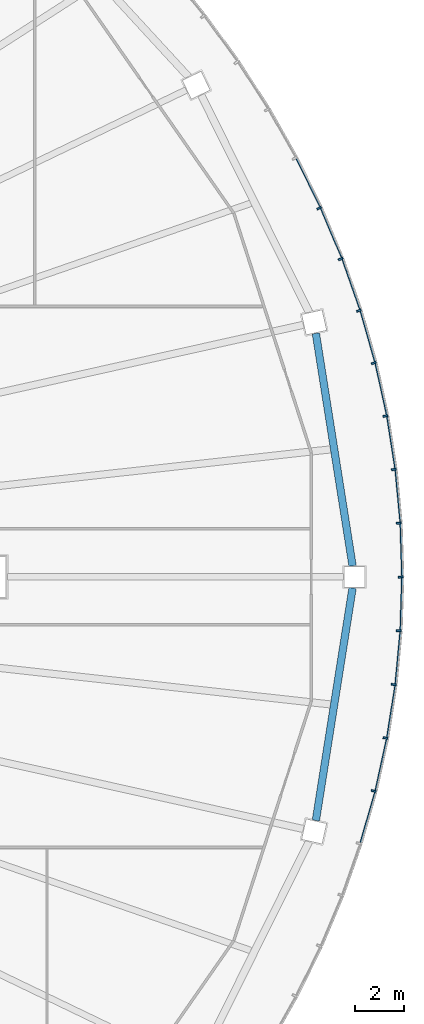
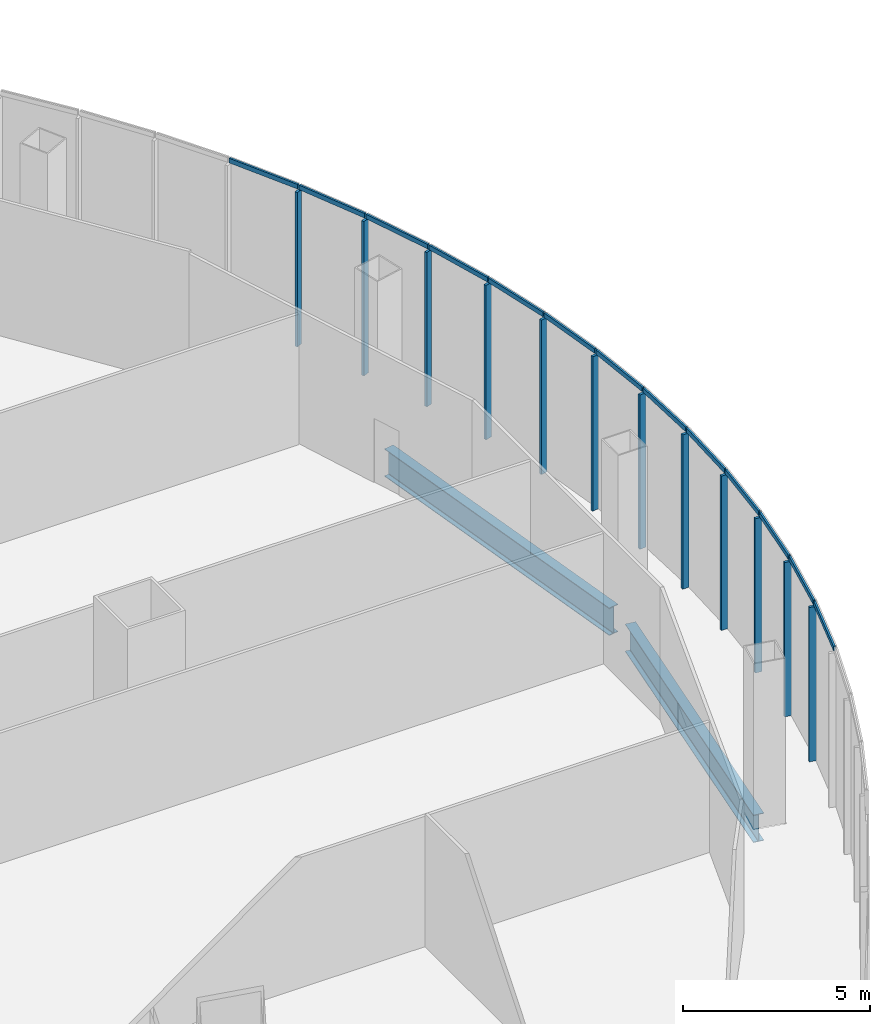
# One storey, part 12 of 42: 25 members, 2 beams, 3 elements without a shape of their own.
"""IFC4 building model written with IfcOpenShell, lengths in metres."""

from ifc_helpers import new_model, si_unit, direction, frame, origin, origin_2d, place, context, subcontext, project, spatial, rectangle, i_section, extrude, material, layer, layer_set, material_profile, profile_set, type_object, element, aggregate, save


model = new_model("IFC4")

# Units and contexts
model_context = context("Model", 3, precision=1e-05, world=origin(), true_north=direction((0.0, 1.0)))
body_context = subcontext(model_context, "Body", "Model", "MODEL_VIEW")
ifc_project = project(units=[si_unit("LENGTHUNIT", "METRE"), si_unit("AREAUNIT", "SQUARE_METRE"), si_unit("VOLUMEUNIT", "CUBIC_METRE"), si_unit("PLANEANGLEUNIT", "RADIAN"), si_unit("MASSUNIT", "GRAM", prefix="KILO")], contexts=[model_context])

# Site, building, storey
site_placement = place(None, origin())
site = spatial("IfcSite", under=ifc_project, at=site_placement, CompositionType="ELEMENT")
building_placement = place(site_placement, origin())
building = spatial("IfcBuilding", under=site, at=building_placement, Name="Sahrelin Media Tower", CompositionType="ELEMENT")
storey_placement = place(building_placement, frame((0.0, 0.0, 26.0)))
storey = spatial("IfcBuildingStorey", under=building, at=storey_placement, Name="L03", CompositionType="ELEMENT", Elevation=26.0)

# Curtain wall, members
ifc_material_1 = material(Name="Champagne anodised aluminium 6063-T6", Category="aluminium")
ifc_layer = layer(ifc_material_1, 0.14990234375)
ifc_layer_set = layer_set([ifc_layer], Name="Podium ribbon curtain wall")
curtain_wall_type = type_object("IfcCurtainWallType", Name="Podium ribbon curtain wall", PredefinedType="NOTDEFINED", material=ifc_layer_set)
curtain_wall_1_placement = place(storey_placement, frame((50.0, 0.0, 0.0), z_axis=(0.0, 0.0, 1.0), x_axis=(1.0, 0.0, 0.0)))
curtain_wall_1 = element("IfcCurtainWall", 1, at=curtain_wall_1_placement, inside=storey, type_object=curtain_wall_type, Name="L03:CW:L03-P00", PredefinedType="NOTDEFINED")
ifc_material_profile_1 = material_profile(ifc_material_1, rectangle(XDim=0.080078125, YDim=0.199951171875, at=origin_2d()), Name="Mullion 80x200")
ifc_profile_set_1 = profile_set([ifc_material_profile_1], Name="Champagne anodised aluminium 6063-T6")
member_type_1 = type_object("IfcMemberType", Name="Mullion 80x200 CW5", PredefinedType="MULLION", material=ifc_profile_set_1)
member_1_placement = place(storey_placement, frame((49.880126953125, -0.003662109375, 0.0), z_axis=(0.0, 0.0, 1.0), x_axis=(-0.031147343317, 0.999514803794, 0.0)))
member_1 = element("IfcMember", 2, at=member_1_placement, type_object=member_type_1, Name="L03:CWM1:L03-P00", PredefinedType="MULLION", context=body_context, shape_type="SweptSolid", body=[
    extrude(rectangle(XDim=0.080078125, YDim=0.199951171875, at=origin_2d()), origin(), (0.0, 0.0, 1.0), 5.050048828125),
])
member_2_placement = place(storey_placement, frame((49.81201171875, 2.18701171875, 0.0), z_axis=(0.0, 0.0, 1.0), x_axis=(-0.09329161754, 0.995638827134, 0.0)))
member_2 = element("IfcMember", 3, at=member_2_placement, type_object=member_type_1, Name="L03:CWM2:L03-P00", PredefinedType="MULLION", context=body_context, shape_type="SweptSolid", body=[
    extrude(rectangle(XDim=0.080078125, YDim=0.199951171875, at=origin_2d()), origin(), (0.0, 0.0, 1.0), 5.050048828125),
])
member_3_placement = place(storey_placement, frame((49.607421875, 4.37158203125, 0.0), z_axis=(0.0, 0.0, 1.0), x_axis=(-0.154851778565, 0.987937713965, 0.0)))
member_3 = element("IfcMember", 4, at=member_3_placement, type_object=member_type_1, Name="L03:CWM3:L03-P00", PredefinedType="MULLION", context=body_context, shape_type="SweptSolid", body=[
    extrude(rectangle(XDim=0.080078125, YDim=0.199951171875, at=origin_2d()), origin(), (0.0, 0.0, 1.0), 5.050048828125),
])
member_4_placement = place(storey_placement, frame((49.26708984375, 6.544189453125, 0.0), z_axis=(0.0, 0.0, 1.0), x_axis=(-0.215437572845, 0.976517614898, 0.0)))
member_4 = element("IfcMember", 5, at=member_4_placement, type_object=member_type_1, Name="L03:CWM4:L03-P00", PredefinedType="MULLION", context=body_context, shape_type="SweptSolid", body=[
    extrude(rectangle(XDim=0.080078125, YDim=0.199951171875, at=origin_2d()), origin(), (0.0, 0.0, 1.0), 5.050048828125),
])
member_5_placement = place(storey_placement, frame((48.7919921875, 8.69921875, 0.0), z_axis=(0.0, 0.0, 1.0), x_axis=(-0.274810138831, 0.961498511489, 0.0)))
member_5 = element("IfcMember", 6, at=member_5_placement, type_object=member_type_1, Name="L03:CWM5:L03-P00", PredefinedType="MULLION", context=body_context, shape_type="SweptSolid", body=[
    extrude(rectangle(XDim=0.080078125, YDim=0.199951171875, at=origin_2d()), origin(), (0.0, 0.0, 1.0), 5.050048828125),
])

curtain_wall_2_placement = place(storey_placement, frame((48.29638671875, 10.870361328125, 0.0), z_axis=(0.0, 0.0, 1.0), x_axis=(1.0, 0.0, 0.0)))
curtain_wall_2 = element("IfcCurtainWall", 7, at=curtain_wall_2_placement, inside=storey, type_object=curtain_wall_type, Name="L03:CW:L03-P01", PredefinedType="NOTDEFINED")
member_6_placement = place(storey_placement, frame((48.18310546875, 10.83056640625, 0.0), z_axis=(0.0, 0.0, 1.0), x_axis=(-0.332579242691, 0.943075313711, 0.0)))
member_6 = element("IfcMember", 8, at=member_6_placement, type_object=member_type_1, Name="L03:CWM1:L03-P01", PredefinedType="MULLION", context=body_context, shape_type="SweptSolid", body=[
    extrude(rectangle(XDim=0.080078125, YDim=0.199951171875, at=origin_2d()), origin(), (0.0, 0.0, 1.0), 5.050048828125),
])
member_7_placement = place(storey_placement, frame((47.442138671875, 12.93212890625, 0.0), z_axis=(0.0, 0.0, 1.0), x_axis=(-0.388450189752, 0.921469722824, 0.0)))
member_7 = element("IfcMember", 9, at=member_7_placement, type_object=member_type_1, Name="L03:CWM2:L03-P01", PredefinedType="MULLION", context=body_context, shape_type="SweptSolid", body=[
    extrude(rectangle(XDim=0.080078125, YDim=0.199951171875, at=origin_2d()), origin(), (0.0, 0.0, 1.0), 5.050048828125),
])
member_8_placement = place(storey_placement, frame((46.5712890625, 14.998291015625, 0.0), z_axis=(0.0, 0.0, 1.0), x_axis=(-0.442262079274, 0.896885864108, 0.0)))
member_8 = element("IfcMember", 10, at=member_8_placement, type_object=member_type_1, Name="L03:CWM3:L03-P01", PredefinedType="MULLION", context=body_context, shape_type="SweptSolid", body=[
    extrude(rectangle(XDim=0.080078125, YDim=0.199951171875, at=origin_2d()), origin(), (0.0, 0.0, 1.0), 5.050048828125),
])

curtain_wall_3_placement = place(storey_placement, frame((48.29638671875, -10.870361328125, 0.0), z_axis=(0.0, 0.0, 1.0), x_axis=(1.0, 0.0, 0.0)))
curtain_wall_3 = element("IfcCurtainWall", 11, at=curtain_wall_3_placement, inside=storey, type_object=curtain_wall_type, Name="L03:CW:L03-P23", PredefinedType="NOTDEFINED")
member_9_placement = place(storey_placement, frame((48.790283203125, -8.706298828125, 0.0), z_axis=(0.0, 0.0, 1.0), x_axis=(0.215437572845, 0.976517614898, 0.0)))
member_9 = element("IfcMember", 12, at=member_9_placement, type_object=member_type_1, Name="L03:CWM2:L03-P23", PredefinedType="MULLION", context=body_context, shape_type="SweptSolid", body=[
    extrude(rectangle(XDim=0.080078125, YDim=0.199951171875, at=origin_2d()), origin(), (0.0, 0.0, 1.0), 5.050048828125),
])
member_10_placement = place(storey_placement, frame((49.265869140625, -6.551513671875, 0.0), z_axis=(0.0, 0.0, 1.0), x_axis=(0.154851778565, 0.987937713965, 0.0)))
member_10 = element("IfcMember", 13, at=member_10_placement, type_object=member_type_1, Name="L03:CWM3:L03-P23", PredefinedType="MULLION", context=body_context, shape_type="SweptSolid", body=[
    extrude(rectangle(XDim=0.080078125, YDim=0.199951171875, at=origin_2d()), origin(), (0.0, 0.0, 1.0), 5.050048828125),
])
member_11_placement = place(storey_placement, frame((49.606689453125, -4.37890625, 0.0), z_axis=(0.0, 0.0, 1.0), x_axis=(0.09329161754, 0.995638827134, 0.0)))
member_11 = element("IfcMember", 14, at=member_11_placement, type_object=member_type_1, Name="L03:CWM4:L03-P23", PredefinedType="MULLION", context=body_context, shape_type="SweptSolid", body=[
    extrude(rectangle(XDim=0.080078125, YDim=0.199951171875, at=origin_2d()), origin(), (0.0, 0.0, 1.0), 5.050048828125),
])
member_12_placement = place(storey_placement, frame((49.8115234375, -2.1943359375, 0.0), z_axis=(0.0, 0.0, 1.0), x_axis=(0.031147343317, 0.999514803794, 0.0)))
member_12 = element("IfcMember", 15, at=member_12_placement, type_object=member_type_1, Name="L03:CWM5:L03-P23", PredefinedType="MULLION", context=body_context, shape_type="SweptSolid", body=[
    extrude(rectangle(XDim=0.080078125, YDim=0.199951171875, at=origin_2d()), origin(), (0.0, 0.0, 1.0), 5.050048828125),
])

# Beams
ifc_material_2 = material(Name="Steel S355", Category="steel")
ifc_material_profile_2 = material_profile(ifc_material_2, i_section(OverallWidth=0.30322265625, OverallDepth=0.903076171875, WebThickness=0.01513671875, FlangeThickness=0.020263671875, FilletRadius=0.01904296875, at=origin_2d()), Name="UB 914x305x201")
ifc_profile_set_2 = profile_set([ifc_material_profile_2], Name="Steel S355")
beam_type = type_object("IfcBeamType", Name="Podium edge girder PE11", PredefinedType="BEAM", material=ifc_profile_set_2)
for number, where, z_axis, x_axis, name in (
    (16, (47.928955078125, 0.449951171875, -0.651611328125), (-0.156048991104, 0.987749316565, 0.0), (-0.987749316565, -0.156048991104, 0.0), "Podium edge girder L03-01"),
    (17, (46.434814453125, -9.907470703125, -0.651611328125), (0.156048991104, 0.987749316565, 0.0), (-0.987749316565, 0.156048991104, 0.0), "Podium edge girder L03-24"),
):
    element("IfcBeam", number, at=place(storey_placement, frame(where, z_axis=z_axis, x_axis=x_axis)), inside=storey, type_object=beam_type, Name=name, PredefinedType="BEAM", context=body_context, shape_type="SweptSolid", body=[
        extrude(i_section(OverallWidth=0.30322265625, OverallDepth=0.903076171875, WebThickness=0.01513671875, FlangeThickness=0.020263671875, FilletRadius=0.01904296875, at=origin_2d()), origin(), (0.0, 0.0, 1.0), 9.57470703125),
    ])

# Member
ifc_material_profile_3 = material_profile(ifc_material_1, rectangle(XDim=0.06005859375, YDim=0.14990234375, at=origin_2d()), Name="Transom 60x150")
ifc_profile_set_3 = profile_set([ifc_material_profile_3], Name="Champagne anodised aluminium 6063-T6")
member_type_2 = type_object("IfcMemberType", Name="Transom 60x150 CW5", PredefinedType="USERDEFINED", material=ifc_profile_set_3)
member_13_placement = place(storey_placement, frame((49.948486328125, 0.04833984375, 5.125), z_axis=(-0.031124815153, 0.999515505573, 0.0), x_axis=(-0.999515505573, -0.031124815153, 0.0)))
member_13 = element("IfcMember", 18, at=member_13_placement, type_object=member_type_2, Name="L03:CWT1a:L03-P00", ObjectType="TRANSOM", PredefinedType="USERDEFINED", context=body_context, shape_type="SweptSolid", body=[
    extrude(rectangle(XDim=0.06005859375, YDim=0.14990234375, at=origin_2d()), origin(), (0.0, 0.0, 1.0), 2.149169921875),
])

member_14_placement = place(storey_placement, frame((49.877197265625, 2.2431640625, 5.125), z_axis=(-0.093379371436, 0.99563060067, 0.0), x_axis=(-0.99563060067, -0.093379371436, 0.0)))
member_14 = element("IfcMember", 19, at=member_14_placement, type_object=member_type_2, Name="L03:CWT2a:L03-P00", ObjectType="TRANSOM", PredefinedType="USERDEFINED", context=body_context, shape_type="SweptSolid", body=[
    extrude(rectangle(XDim=0.06005859375, YDim=0.14990234375, at=origin_2d()), origin(), (0.0, 0.0, 1.0), 2.15185546875),
])

member_15_placement = place(storey_placement, frame((49.6689453125, 4.431884765625, 5.125), z_axis=(-0.154863781247, 0.987935832561, 0.0), x_axis=(-0.987935832561, -0.154863781247, 0.0)))
member_15 = element("IfcMember", 20, at=member_15_placement, type_object=member_type_2, Name="L03:CWT3a:L03-P00", ObjectType="TRANSOM", PredefinedType="USERDEFINED", context=body_context, shape_type="SweptSolid", body=[
    extrude(rectangle(XDim=0.06005859375, YDim=0.14990234375, at=origin_2d()), origin(), (0.0, 0.0, 1.0), 2.15673828125),
])

member_16_placement = place(storey_placement, frame((49.32470703125, 6.6083984375, 5.125), z_axis=(-0.215389086642, 0.976528310575, 0.0), x_axis=(-0.976528310575, -0.215389086642, 0.0)))
member_16 = element("IfcMember", 21, at=member_16_placement, type_object=member_type_2, Name="L03:CWT4a:L03-P00", ObjectType="TRANSOM", PredefinedType="USERDEFINED", context=body_context, shape_type="SweptSolid", body=[
    extrude(rectangle(XDim=0.06005859375, YDim=0.14990234375, at=origin_2d()), origin(), (0.0, 0.0, 1.0), 2.163818359375),
])

member_17_placement = place(storey_placement, frame((48.845703125, 8.7666015625, 5.125), z_axis=(-0.274824960972, 0.961494274984, 0.0), x_axis=(-0.961494274984, -0.274824960972, 0.0)))
member_17 = element("IfcMember", 22, at=member_17_placement, type_object=member_type_2, Name="L03:CWT5a:L03-P00", ObjectType="TRANSOM", PredefinedType="USERDEFINED", context=body_context, shape_type="SweptSolid", body=[
    extrude(rectangle(XDim=0.06005859375, YDim=0.14990234375, at=origin_2d()), origin(), (0.0, 0.0, 1.0), 2.173828125),
])

aggregate(curtain_wall_1, [member_1, member_13, member_2, member_14, member_3, member_15, member_4, member_16, member_5, member_17])

member_18_placement = place(storey_placement, frame((48.232421875, 10.90087890625, 5.125), z_axis=(-0.332533804203, 0.943091336543, 0.0), x_axis=(-0.943091336543, -0.332533804203, 0.0)))
member_18 = element("IfcMember", 23, at=member_18_placement, type_object=member_type_2, Name="L03:CWT1a:L03-P01", ObjectType="TRANSOM", PredefinedType="USERDEFINED", context=body_context, shape_type="SweptSolid", body=[
    extrude(rectangle(XDim=0.06005859375, YDim=0.14990234375, at=origin_2d()), origin(), (0.0, 0.0, 1.0), 2.185546875),
])

member_19_placement = place(storey_placement, frame((47.4873046875, 13.00537109375, 5.125), z_axis=(-0.388513504785, 0.921443029492, 0.0), x_axis=(-0.921443029492, -0.388513504785, 0.0)))
member_19 = element("IfcMember", 24, at=member_19_placement, type_object=member_type_2, Name="L03:CWT2a:L03-P01", ObjectType="TRANSOM", PredefinedType="USERDEFINED", context=body_context, shape_type="SweptSolid", body=[
    extrude(rectangle(XDim=0.06005859375, YDim=0.14990234375, at=origin_2d()), origin(), (0.0, 0.0, 1.0), 2.199462890625),
])

member_20_placement = place(storey_placement, frame((46.612060546875, 15.07421875, 5.125), z_axis=(-0.442224467513, 0.896904409808, 0.0), x_axis=(-0.896904409808, -0.442224467513, 0.0)))
member_20 = element("IfcMember", 25, at=member_20_placement, type_object=member_type_2, Name="L03:CWT3a:L03-P01", ObjectType="TRANSOM", PredefinedType="USERDEFINED", context=body_context, shape_type="SweptSolid", body=[
    extrude(rectangle(XDim=0.06005859375, YDim=0.14990234375, at=origin_2d()), origin(), (0.0, 0.0, 1.0), 2.21484375),
])

aggregate(curtain_wall_2, [member_6, member_18, member_7, member_19, member_8, member_20])

member_21_placement = place(storey_placement, frame((48.261962890625, -10.80859375, 5.125), z_axis=(0.274824960972, 0.961494274984, 0.0), x_axis=(-0.961494274984, 0.274824960972, 0.0)))
member_21 = element("IfcMember", 26, at=member_21_placement, type_object=member_type_2, Name="L03:CWT1a:L03-P23", ObjectType="TRANSOM", PredefinedType="USERDEFINED", context=body_context, shape_type="SweptSolid", body=[
    extrude(rectangle(XDim=0.06005859375, YDim=0.14990234375, at=origin_2d()), origin(), (0.0, 0.0, 1.0), 2.173828125),
])

member_22_placement = place(storey_placement, frame((48.869384765625, -8.672607421875, 5.125), z_axis=(0.21547293686, 0.976509812281, 0.0), x_axis=(-0.976509812281, 0.21547293686, 0.0)))
member_22 = element("IfcMember", 27, at=member_22_placement, type_object=member_type_2, Name="L03:CWT2a:L03-P23", ObjectType="TRANSOM", PredefinedType="USERDEFINED", context=body_context, shape_type="SweptSolid", body=[
    extrude(rectangle(XDim=0.06005859375, YDim=0.14990234375, at=origin_2d()), origin(), (0.0, 0.0, 1.0), 2.1640625),
])

member_23_placement = place(storey_placement, frame((49.3427734375, -6.51318359375, 5.125), z_axis=(0.154863781247, 0.987935832561, 0.0), x_axis=(-0.987935832561, 0.154863781247, 0.0)))
member_23 = element("IfcMember", 28, at=member_23_placement, type_object=member_type_2, Name="L03:CWT3a:L03-P23", ObjectType="TRANSOM", PredefinedType="USERDEFINED", context=body_context, shape_type="SweptSolid", body=[
    extrude(rectangle(XDim=0.06005859375, YDim=0.14990234375, at=origin_2d()), origin(), (0.0, 0.0, 1.0), 2.15673828125),
])

member_24_placement = place(storey_placement, frame((49.680908203125, -4.335693359375, 5.125), z_axis=(0.093266896829, 0.995641143161, 0.0), x_axis=(-0.995641143161, 0.093266896829, 0.0)))
member_24 = element("IfcMember", 29, at=member_24_placement, type_object=member_type_2, Name="L03:CWT4a:L03-P23", ObjectType="TRANSOM", PredefinedType="USERDEFINED", context=body_context, shape_type="SweptSolid", body=[
    extrude(rectangle(XDim=0.06005859375, YDim=0.14990234375, at=origin_2d()), origin(), (0.0, 0.0, 1.0), 2.151611328125),
])

member_25_placement = place(storey_placement, frame((49.883056640625, -2.146484375, 5.125), z_axis=(0.031124815153, 0.999515505573, 0.0), x_axis=(-0.999515505573, 0.031124815153, 0.0)))
member_25 = element("IfcMember", 30, at=member_25_placement, type_object=member_type_2, Name="L03:CWT5a:L03-P23", ObjectType="TRANSOM", PredefinedType="USERDEFINED", context=body_context, shape_type="SweptSolid", body=[
    extrude(rectangle(XDim=0.06005859375, YDim=0.14990234375, at=origin_2d()), origin(), (0.0, 0.0, 1.0), 2.149169921875),
])

aggregate(curtain_wall_3, [member_21, member_9, member_22, member_10, member_23, member_11, member_24, member_12, member_25])

save(model, "model.ifc")
